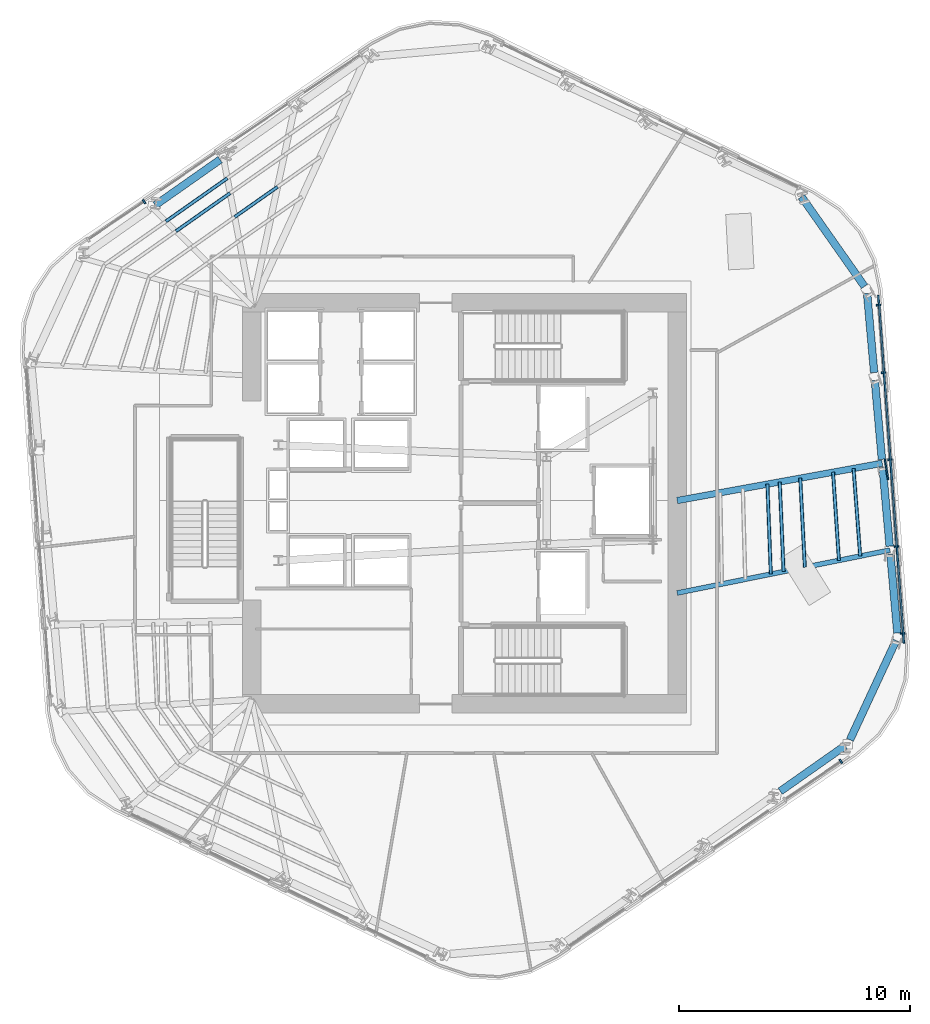
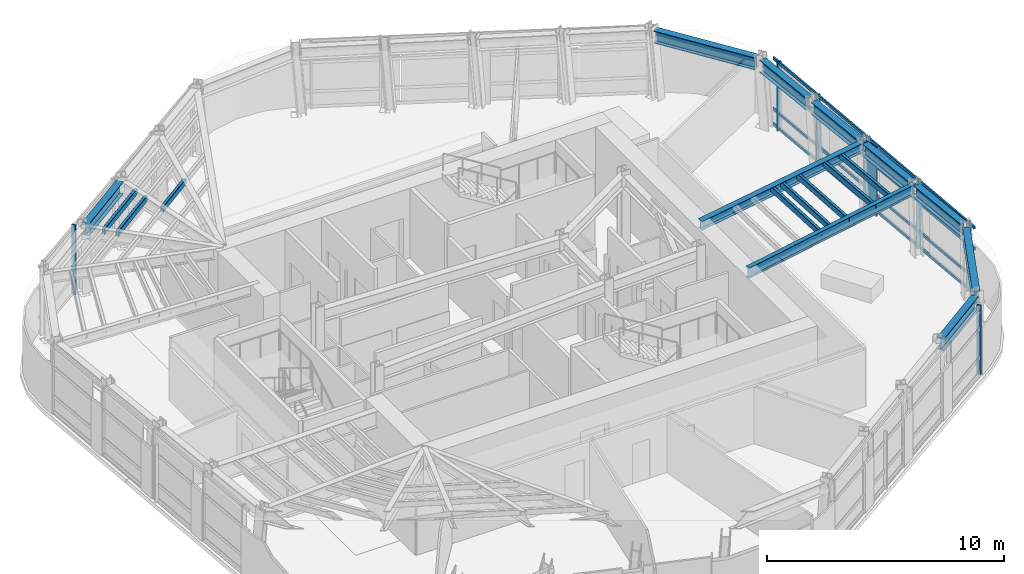
# One storey, part 5 of 15: 20 members, 10 beams, 3 elements without a shape of their own.
"""IFC4 building model written with IfcOpenShell, lengths in metres."""

from ifc_helpers import new_model, si_unit, direction, frame, origin, origin_2d, place, context, subcontext, project, spatial, rectangle, hollow_rectangle, i_section, extrude, material, layer, layer_set, material_profile, profile_set, type_object, element, aggregate, save


model = new_model("IFC4")

# Units and contexts
model_context = context("Model", 3, precision=1e-05, world=origin(), true_north=direction((0.0, 1.0)))
body_context = subcontext(model_context, "Body", "Model", "MODEL_VIEW")
ifc_project = project(units=[si_unit("LENGTHUNIT", "METRE"), si_unit("AREAUNIT", "SQUARE_METRE"), si_unit("VOLUMEUNIT", "CUBIC_METRE"), si_unit("PLANEANGLEUNIT", "RADIAN"), si_unit("MASSUNIT", "GRAM", prefix="KILO")], contexts=[model_context])

# Site, building, storey
site_placement = place(None, origin())
site = spatial("IfcSite", under=ifc_project, at=site_placement, CompositionType="ELEMENT")
building_placement = place(site_placement, origin())
building = spatial("IfcBuilding", under=site, at=building_placement, Name="Valkerne Bourse Tower", CompositionType="ELEMENT")
storey_placement = place(building_placement, frame((0.0, 0.0, 170.39990234375)))
storey = spatial("IfcBuildingStorey", under=building, at=storey_placement, Name="L43", CompositionType="ELEMENT", Elevation=170.39990234375)

# Beams
ifc_material_1 = material(Name="Steel ASTM A992", Category="steel")
ifc_material_profile_1 = material_profile(ifc_material_1, i_section(OverallWidth=0.279296875, OverallDepth=0.46240234375, WebThickness=0.0107421875, FlangeThickness=0.017333984375, FilletRadius=0.017822265625, at=origin_2d()), Name="W18X76")
ifc_profile_set_1 = profile_set([ifc_material_profile_1], Name="Steel ASTM A992")
beam_type_1 = type_object("IfcBeamType", Name="BM-W18X76", PredefinedType="BEAM", material=ifc_profile_set_1)
beam_1_placement = place(storey_placement, frame((64.871337890625, 28.61279296875, 3.348876953125), z_axis=(-0.983873375688, -0.178866376415, 0.0), x_axis=(0.178866376415, -0.983873375688, 0.0)))
element("IfcBeam", 1, at=beam_1_placement, inside=storey, type_object=beam_type_1, Name="L43 Radial Composite Floor Beam 27", PredefinedType="BEAM", context=body_context, shape_type="SweptSolid", body=[
    extrude(i_section(OverallWidth=0.279296875, OverallDepth=0.46240234375, WebThickness=0.0107421875, FlangeThickness=0.017333984375, FilletRadius=0.017822265625, at=origin_2d()), origin(), (0.0, 0.0, 1.0), 9.016845703125),
])
ifc_material_profile_2 = material_profile(ifc_material_1, i_section(OverallWidth=0.209228515625, OverallDepth=0.533447265625, WebThickness=0.01025390625, FlangeThickness=0.015625, FilletRadius=0.017822265625, at=origin_2d()), Name="W21X62")
ifc_profile_set_2 = profile_set([ifc_material_profile_2], Name="Steel ASTM A992")
beam_type_2 = type_object("IfcBeamType", Name="BM-W21X62", PredefinedType="JOIST", material=ifc_profile_set_2)
beam_2_placement = place(storey_placement, frame((65.20654296875, 24.856689453125, 3.3134765625), z_axis=(-0.980264474137, -0.197690568173, 0.0), x_axis=(0.197690568173, -0.980264474137, 0.0)))
element("IfcBeam", 2, at=beam_2_placement, inside=storey, type_object=beam_type_2, Name="L43 Radial Composite Floor Beam 26", PredefinedType="JOIST", context=body_context, shape_type="SweptSolid", body=[
    extrude(i_section(OverallWidth=0.209228515625, OverallDepth=0.533447265625, WebThickness=0.01025390625, FlangeThickness=0.015625, FilletRadius=0.017822265625, at=origin_2d()), origin(), (0.0, 0.0, 1.0), 9.391845703125),
])
ifc_material_profile_3 = material_profile(ifc_material_1, i_section(OverallWidth=0.32763671875, OverallDepth=0.62744140625, WebThickness=0.0166015625, FlangeThickness=0.027587890625, FilletRadius=0.020263671875, at=origin_2d()), Name="W24X146")
ifc_profile_set_3 = profile_set([ifc_material_profile_3], Name="Steel ASTM A992")
beam_type_3 = type_object("IfcBeamType", Name="BM-W24X146", PredefinedType="SPANDREL", material=ifc_profile_set_3)
beam_3_placement = place(storey_placement, frame((36.228515625, 41.74609375, 3.266357421875), z_axis=(-0.818147365693, -0.575008598205, 0.0), x_axis=(0.575008598205, -0.818147365693, 0.0)))
element("IfcBeam", 3, at=beam_3_placement, inside=storey, type_object=beam_type_3, Name="L43 Hexagonal Spandrel Ring Beam 07", PredefinedType="SPANDREL", context=body_context, shape_type="SweptSolid", body=[
    extrude(i_section(OverallWidth=0.32763671875, OverallDepth=0.62744140625, WebThickness=0.0166015625, FlangeThickness=0.027587890625, FilletRadius=0.020263671875, at=origin_2d()), origin(), (0.0, 0.0, 1.0), 3.43115234375),
])
beam_4_placement = place(storey_placement, frame((60.456787109375, 14.42236328125, 3.266357421875), z_axis=(0.818180840254, 0.57496096619, 0.0), x_axis=(-0.57496096619, 0.818180840254, 0.0)))
element("IfcBeam", 4, at=beam_4_placement, inside=storey, type_object=beam_type_3, Name="L43 Hexagonal Spandrel Ring Beam 23", PredefinedType="SPANDREL", context=body_context, shape_type="SweptSolid", body=[
    extrude(i_section(OverallWidth=0.32763671875, OverallDepth=0.62744140625, WebThickness=0.0166015625, FlangeThickness=0.027587890625, FilletRadius=0.020263671875, at=origin_2d()), origin(), (0.0, 0.0, 1.0), 3.430908203125),
])
beam_5_placement = place(storey_placement, frame((63.474609375, 16.64697265625, 3.266357421875), z_axis=(0.421003861292, 0.907058845267, 0.0), x_axis=(-0.907058845267, 0.421003861292, 0.0)))
element("IfcBeam", 5, at=beam_5_placement, inside=storey, type_object=beam_type_3, Name="L43 Hexagonal Spandrel Ring Beam 24", PredefinedType="SPANDREL", context=body_context, shape_type="SweptSolid", body=[
    extrude(i_section(OverallWidth=0.32763671875, OverallDepth=0.62744140625, WebThickness=0.0166015625, FlangeThickness=0.027587890625, FilletRadius=0.020263671875, at=origin_2d()), origin(), (0.0, 0.0, 1.0), 4.739990234375),
])
for number, where, z_axis, x_axis, name in (
    (6, (65.526611328125, 21.27001953125, 3.266357421875), (-0.088873950454, 0.99604288107, 0.0), (-0.99604288107, -0.088873950454, 0.0), "L43 Hexagonal Spandrel Ring Beam 25"),
    (7, (65.19140625, 25.026123046875, 3.266357421875), (-0.088873950454, 0.99604288107, 0.0), (-0.99604288107, -0.088873950454, 0.0), "L43 Hexagonal Spandrel Ring Beam 26"),
):
    element("IfcBeam", number, at=place(storey_placement, frame(where, z_axis=z_axis, x_axis=x_axis)), inside=storey, type_object=beam_type_3, Name=name, PredefinedType="SPANDREL", context=body_context, shape_type="SweptSolid", body=[
        extrude(i_section(OverallWidth=0.32763671875, OverallDepth=0.62744140625, WebThickness=0.0166015625, FlangeThickness=0.027587890625, FilletRadius=0.020263671875, at=origin_2d()), origin(), (0.0, 0.0, 1.0), 3.43115234375),
    ])
for number, where, z_axis, x_axis, name in (
    (8, (64.856201171875, 28.781982421875, 3.266357421875), (-0.088867652001, 0.996043443042, 0.0), (-0.996043443042, -0.088867652001, 0.0), "L43 Hexagonal Spandrel Ring Beam 27"),
    (9, (64.52099609375, 32.5380859375, 3.266357421875), (-0.088867652001, 0.996043443042, 0.0), (-0.996043443042, -0.088867652001, 0.0), "L43 Hexagonal Spandrel Ring Beam 28"),
):
    element("IfcBeam", number, at=place(storey_placement, frame(where, z_axis=z_axis, x_axis=x_axis)), inside=storey, type_object=beam_type_3, Name=name, PredefinedType="SPANDREL", context=body_context, shape_type="SweptSolid", body=[
        extrude(i_section(OverallWidth=0.32763671875, OverallDepth=0.62744140625, WebThickness=0.0166015625, FlangeThickness=0.027587890625, FilletRadius=0.020263671875, at=origin_2d()), origin(), (0.0, 0.0, 1.0), 3.431396484375),
    ])
beam_6_placement = place(storey_placement, frame((64.103271484375, 36.26416015625, 3.266357421875), z_axis=(-0.575023794599, 0.818136685185, 0.0), x_axis=(-0.818136685185, -0.575023794599, 0.0)))
element("IfcBeam", 10, at=beam_6_placement, inside=storey, type_object=beam_type_3, Name="L43 Hexagonal Spandrel Ring Beam 29", PredefinedType="SPANDREL", context=body_context, shape_type="SweptSolid", body=[
    extrude(i_section(OverallWidth=0.32763671875, OverallDepth=0.62744140625, WebThickness=0.0166015625, FlangeThickness=0.027587890625, FilletRadius=0.020263671875, at=origin_2d()), origin(), (0.0, 0.0, 1.0), 4.739990234375),
])

# Curtain wall, member
ifc_material_2 = material(Name="Aluminium AA 6063-T6", Category="aluminium")
ifc_layer = layer(ifc_material_2, 0.235107421875)
ifc_layer_set = layer_set([ifc_layer], Name="Aluminium AA 6063-T6")
curtain_wall_type = type_object("IfcCurtainWallType", Name="CW-03", PredefinedType="NOTDEFINED", material=ifc_layer_set)
curtain_wall_1_placement = place(storey_placement, origin())
curtain_wall_1 = element("IfcCurtainWall", 11, at=curtain_wall_1_placement, inside=storey, type_object=curtain_wall_type, Name="L43 Hexagonal Stick Curtain Wall Face 2", PredefinedType="NOTDEFINED")
ifc_material_profile_4 = material_profile(ifc_material_2, rectangle(XDim=0.074951171875, YDim=0.199951171875, at=origin_2d()), Name="CWM-75X200")
ifc_profile_set_4 = profile_set([ifc_material_profile_4], Name="Aluminium AA 6063-T6")
member_type_1 = type_object("IfcMemberType", Name="CW-MUL-220X75", PredefinedType="MULLION", material=ifc_profile_set_4)
member_1_placement = place(storey_placement, frame((32.944580078125, 39.931396484375, 0.0), z_axis=(0.0, 0.0, 1.0), x_axis=(-0.827089229672, -0.562070641611, 0.0)))
member_1 = element("IfcMember", 12, at=member_1_placement, type_object=member_type_1, Name="CW-L43-F2 Jamb Mullion 03A", PredefinedType="MULLION", context=body_context, shape_type="SweptSolid", body=[
    extrude(rectangle(XDim=0.074951171875, YDim=0.199951171875, at=origin_2d()), origin(), (0.0, 0.0, 1.0), 3.580078125),
])
aggregate(curtain_wall_1, [member_1])

curtain_wall_2_placement = place(storey_placement, origin())
curtain_wall_2 = element("IfcCurtainWall", 13, at=curtain_wall_2_placement, inside=storey, type_object=curtain_wall_type, Name="L43 Hexagonal Stick Curtain Wall Face 5", PredefinedType="NOTDEFINED")
member_2_placement = place(storey_placement, frame((63.07958984375, 15.716064453125, 0.0), z_axis=(0.0, 0.0, 1.0), x_axis=(0.827089229672, 0.562070641611, 0.0)))
member_2 = element("IfcMember", 14, at=member_2_placement, type_object=member_type_1, Name="CW-L43-F5 Jamb Mullion 03B", PredefinedType="MULLION", context=body_context, shape_type="SweptSolid", body=[
    extrude(rectangle(XDim=0.074951171875, YDim=0.199951171875, at=origin_2d()), origin(), (0.0, 0.0, 1.0), 3.580078125),
])
aggregate(curtain_wall_2, [member_2])

# Curtain wall, members
curtain_wall_3_placement = place(storey_placement, origin())
curtain_wall_3 = element("IfcCurtainWall", 15, at=curtain_wall_3_placement, inside=storey, type_object=curtain_wall_type, Name="L43 Hexagonal Stick Curtain Wall Face 6", PredefinedType="NOTDEFINED")
member_3_placement = place(storey_placement, frame((65.755126953125, 21.250732421875, 0.0), z_axis=(0.0, 0.0, 1.0), x_axis=(-0.07324261982, 0.997314152432, 0.0)))
member_3 = element("IfcMember", 16, at=member_3_placement, type_object=member_type_1, Name="CW-L43-F6 Jamb Mullion 00A", PredefinedType="MULLION", context=body_context, shape_type="SweptSolid", body=[
    extrude(rectangle(XDim=0.074951171875, YDim=0.199951171875, at=origin_2d()), origin(), (0.0, 0.0, 1.0), 3.580078125),
])
member_4_placement = place(storey_placement, frame((65.47900390625, 25.01171875, 0.0), z_axis=(0.0, 0.0, 1.0), x_axis=(-0.07324261982, 0.997314152432, 0.0)))
member_4 = element("IfcMember", 17, at=member_4_placement, type_object=member_type_1, Name="CW-L43-F6 Jamb Mullion 01A", PredefinedType="MULLION", context=body_context, shape_type="SweptSolid", body=[
    extrude(rectangle(XDim=0.074951171875, YDim=0.199951171875, at=origin_2d()), origin(), (0.0, 0.0, 1.0), 3.580078125),
])
member_5_placement = place(storey_placement, frame((65.202880859375, 28.772705078125, 0.0), z_axis=(0.0, 0.0, 1.0), x_axis=(-0.07324261982, 0.997314152432, 0.0)))
member_5 = element("IfcMember", 18, at=member_5_placement, type_object=member_type_1, Name="CW-L43-F6 Jamb Mullion 02A", PredefinedType="MULLION", context=body_context, shape_type="SweptSolid", body=[
    extrude(rectangle(XDim=0.074951171875, YDim=0.199951171875, at=origin_2d()), origin(), (0.0, 0.0, 1.0), 3.580078125),
])
member_6_placement = place(storey_placement, frame((64.926513671875, 32.533447265625, 0.0), z_axis=(0.0, 0.0, 1.0), x_axis=(-0.07324455691, 0.997314010171, 0.0)))
member_6 = element("IfcMember", 19, at=member_6_placement, type_object=member_type_1, Name="CW-L43-F6 Jamb Mullion 03A", PredefinedType="MULLION", context=body_context, shape_type="SweptSolid", body=[
    extrude(rectangle(XDim=0.074951171875, YDim=0.199951171875, at=origin_2d()), origin(), (0.0, 0.0, 1.0), 3.580078125),
])
member_7_placement = place(storey_placement, frame((64.7119140625, 35.45654296875, 0.0), z_axis=(0.0, 0.0, 1.0), x_axis=(-0.07324455691, 0.997314010171, 0.0)))
member_7 = element("IfcMember", 20, at=member_7_placement, type_object=member_type_1, Name="CW-L43-F6 Jamb Mullion 03B", PredefinedType="MULLION", context=body_context, shape_type="SweptSolid", body=[
    extrude(rectangle(XDim=0.074951171875, YDim=0.199951171875, at=origin_2d()), origin(), (0.0, 0.0, 1.0), 3.580078125),
])
ifc_material_profile_5 = material_profile(ifc_material_2, rectangle(XDim=0.074951171875, YDim=0.14990234375, at=origin_2d()), Name="CWT-75X150")
ifc_profile_set_5 = profile_set([ifc_material_profile_5], Name="Aluminium AA 6063-T6")
member_type_2 = type_object("IfcMemberType", Name="CW-TRN-180X65", PredefinedType="USERDEFINED", material=ifc_profile_set_5)
member_8_placement = place(storey_placement, frame((65.805908203125, 20.83349609375, 0.1201171875), z_axis=(-0.07323911365, 0.997314409919, 0.0), x_axis=(-0.997314409919, -0.07323911365, 0.0)))
member_8 = element("IfcMember", 21, at=member_8_placement, type_object=member_type_2, Name="CW-L43-F6 Continuous Face Transom 1", ObjectType="TRANSOM", PredefinedType="USERDEFINED", context=body_context, shape_type="SweptSolid", body=[
    extrude(rectangle(XDim=0.074951171875, YDim=0.14990234375, at=origin_2d()), origin(), (0.0, 0.0, 1.0), 15.083984375),
])
member_9_placement = place(storey_placement, frame((65.805908203125, 20.83349609375, 0.900146484375), z_axis=(-0.07323911365, 0.997314409919, 0.0), x_axis=(-0.997314409919, -0.07323911365, 0.0)))
member_9 = element("IfcMember", 22, at=member_9_placement, type_object=member_type_2, Name="CW-L43-F6 Continuous Face Transom 2", ObjectType="TRANSOM", PredefinedType="USERDEFINED", context=body_context, shape_type="SweptSolid", body=[
    extrude(rectangle(XDim=0.074951171875, YDim=0.14990234375, at=origin_2d()), origin(), (0.0, 0.0, 1.0), 15.083984375),
])
member_10_placement = place(storey_placement, frame((65.805908203125, 20.83349609375, 2.400146484375), z_axis=(-0.07323911365, 0.997314409919, 0.0), x_axis=(-0.997314409919, -0.07323911365, 0.0)))
member_10 = element("IfcMember", 23, at=member_10_placement, type_object=member_type_2, Name="CW-L43-F6 Continuous Face Transom 3", ObjectType="TRANSOM", PredefinedType="USERDEFINED", context=body_context, shape_type="SweptSolid", body=[
    extrude(rectangle(XDim=0.074951171875, YDim=0.14990234375, at=origin_2d()), origin(), (0.0, 0.0, 1.0), 15.083984375),
])
member_11_placement = place(storey_placement, frame((65.805908203125, 20.83349609375, 3.5), z_axis=(-0.07323911365, 0.997314409919, 0.0), x_axis=(-0.997314409919, -0.07323911365, 0.0)))
member_11 = element("IfcMember", 24, at=member_11_placement, type_object=member_type_2, Name="CW-L43-F6 Continuous Face Transom 4", ObjectType="TRANSOM", PredefinedType="USERDEFINED", context=body_context, shape_type="SweptSolid", body=[
    extrude(rectangle(XDim=0.074951171875, YDim=0.14990234375, at=origin_2d()), origin(), (0.0, 0.0, 1.0), 15.083984375),
])
aggregate(curtain_wall_3, [member_8, member_9, member_10, member_11, member_3, member_4, member_5, member_6, member_7])

# Members
ifc_material_3 = material(Name="Bronze Anodised Aluminium AA 6063-T6", Category="aluminium")
ifc_material_profile_6 = material_profile(ifc_material_3, rectangle(XDim=0.070068359375, YDim=0.89990234375, at=origin_2d()), Name="FIN-70X900")
ifc_profile_set_6 = profile_set([ifc_material_profile_6], Name="Bronze Anodised Aluminium AA 6063-T6")
member_type_3 = type_object("IfcMemberType", Name="FIN-SOLAR-900", PredefinedType="USERDEFINED", material=ifc_profile_set_6)
member_12_placement = place(storey_placement, frame((65.05419921875, 28.340576171875, 0.004150390625), z_axis=(0.0, 0.0, 1.0), x_axis=(0.986895981162, 0.161357746531, 0.0)))
element("IfcMember", 25, at=member_12_placement, inside=storey, type_object=member_type_3, Name="L43 Bronze Anodised Solar Fin F6-02", ObjectType="SOLAR_FIN", PredefinedType="USERDEFINED", context=body_context, shape_type="SweptSolid", body=[
    extrude(rectangle(XDim=0.070068359375, YDim=0.89990234375, at=origin_2d()), origin(), (0.0, 0.0, 1.0), 3.572021484375),
])
ifc_material_4 = material(Name="Steel ASTM A500 Grade C", Category="steel")
ifc_material_profile_7 = material_profile(ifc_material_4, hollow_rectangle(XDim=0.14990234375, YDim=0.300048828125, WallThickness=0.012451171875, OuterFilletRadius=0.02490234375, at=origin_2d()), Name="HSS300X150X12.5")
ifc_profile_set_7 = profile_set([ifc_material_profile_7], Name="Steel ASTM A500 Grade C")
member_type_4 = type_object("IfcMemberType", Name="MBR-HSS300X150X12.5", PredefinedType="PURLIN", material=ifc_profile_set_7)
member_13_placement = place(storey_placement, frame((60.05078125, 23.81689453125, 3.420166015625), z_axis=(-0.037853065087, 0.999283315914, 0.0), x_axis=(-0.999283315914, -0.037853065087, 0.0)))
element("IfcMember", 26, at=member_13_placement, inside=storey, type_object=member_type_4, Name="L43 Secondary Composite Floor Purlin K-26", PredefinedType="PURLIN", context=body_context, shape_type="SweptSolid", body=[
    extrude(hollow_rectangle(XDim=0.14990234375, YDim=0.300048828125, WallThickness=0.012451171875, OuterFilletRadius=0.02490234375, at=origin_2d()), origin(), (0.0, 0.0, 1.0), 3.8955078125),
])
member_14_placement = place(storey_placement, frame((60.603271484375, 23.928466796875, 3.420166015625), z_axis=(-0.043147892563, 0.99906869602, 0.0), x_axis=(-0.99906869602, -0.043147892563, 0.0)))
element("IfcMember", 27, at=member_14_placement, inside=storey, type_object=member_type_4, Name="L43 Secondary Composite Floor Purlin M-26", PredefinedType="PURLIN", context=body_context, shape_type="SweptSolid", body=[
    extrude(hollow_rectangle(XDim=0.14990234375, YDim=0.300048828125, WallThickness=0.012451171875, OuterFilletRadius=0.02490234375, at=origin_2d()), origin(), (0.0, 0.0, 1.0), 3.881591796875),
])
member_15_placement = place(storey_placement, frame((36.663330078125, 40.29736328125, 3.420166015625), z_axis=(-0.818141872571, -0.575016413979, 0.0), x_axis=(0.575016413979, -0.818141872571, 0.0)))
element("IfcMember", 28, at=member_15_placement, inside=storey, type_object=member_type_4, Name="L43 Secondary Composite Floor Purlin O-07", PredefinedType="PURLIN", context=body_context, shape_type="SweptSolid", body=[
    extrude(hollow_rectangle(XDim=0.14990234375, YDim=0.300048828125, WallThickness=0.012451171875, OuterFilletRadius=0.02490234375, at=origin_2d()), origin(), (0.0, 0.0, 1.0), 2.865966796875),
])
member_16_placement = place(storey_placement, frame((62.9970703125, 24.4111328125, 3.420166015625), z_axis=(-0.066671599614, 0.997774973531, 0.0), x_axis=(-0.997774973531, -0.066671599614, 0.0)))
element("IfcMember", 29, at=member_16_placement, inside=storey, type_object=member_type_4, Name="L43 Secondary Composite Floor Purlin O-26", PredefinedType="PURLIN", context=body_context, shape_type="SweptSolid", body=[
    extrude(hollow_rectangle(XDim=0.14990234375, YDim=0.300048828125, WallThickness=0.012451171875, OuterFilletRadius=0.02490234375, at=origin_2d()), origin(), (0.0, 0.0, 1.0), 3.822998046875),
])
member_17_placement = place(storey_placement, frame((38.711669921875, 40.5673828125, 3.420166015625), z_axis=(-0.818135445174, -0.575025558867, 0.0), x_axis=(0.575025558867, -0.818135445174, 0.0)))
element("IfcMember", 30, at=member_17_placement, inside=storey, type_object=member_type_4, Name="L43 Secondary Composite Floor Purlin Z-06", PredefinedType="PURLIN", context=body_context, shape_type="SweptSolid", body=[
    extrude(hollow_rectangle(XDim=0.14990234375, YDim=0.300048828125, WallThickness=0.012451171875, OuterFilletRadius=0.02490234375, at=origin_2d()), origin(), (0.0, 0.0, 1.0), 2.262451171875),
])
member_18_placement = place(storey_placement, frame((61.52392578125, 24.114013671875, 3.420166015625), z_axis=(-0.05213047783, 0.998640282224, 0.0), x_axis=(-0.998640282224, -0.05213047783, 0.0)))
element("IfcMember", 31, at=member_18_placement, inside=storey, type_object=member_type_4, Name="L43 Secondary Composite Floor Purlin Z-26", PredefinedType="PURLIN", context=body_context, shape_type="SweptSolid", body=[
    extrude(hollow_rectangle(XDim=0.14990234375, YDim=0.300048828125, WallThickness=0.012451171875, OuterFilletRadius=0.02490234375, at=origin_2d()), origin(), (0.0, 0.0, 1.0), 3.85888671875),
])
member_19_placement = place(storey_placement, frame((36.5400390625, 40.94189453125, 3.420166015625), z_axis=(-0.818119909628, -0.575047661911, 0.0), x_axis=(0.575047661911, -0.818119909628, 0.0)))
element("IfcMember", 32, at=member_19_placement, inside=storey, type_object=member_type_4, Name="L43 Secondary Composite Floor Purlin T-07", PredefinedType="PURLIN", context=body_context, shape_type="SweptSolid", body=[
    extrude(hollow_rectangle(XDim=0.14990234375, YDim=0.300048828125, WallThickness=0.012451171875, OuterFilletRadius=0.02490234375, at=origin_2d()), origin(), (0.0, 0.0, 1.0), 3.2431640625),
])
member_20_placement = place(storey_placement, frame((63.917724609375, 24.5966796875, 3.420166015625), z_axis=(-0.075851701694, 0.997119109911, 0.0), x_axis=(-0.997119109911, -0.075851701694, 0.0)))
element("IfcMember", 33, at=member_20_placement, inside=storey, type_object=member_type_4, Name="L43 Secondary Composite Floor Purlin T-26", PredefinedType="PURLIN", context=body_context, shape_type="SweptSolid", body=[
    extrude(hollow_rectangle(XDim=0.14990234375, YDim=0.300048828125, WallThickness=0.012451171875, OuterFilletRadius=0.02490234375, at=origin_2d()), origin(), (0.0, 0.0, 1.0), 3.80126953125),
])

save(model, "model.ifc")
